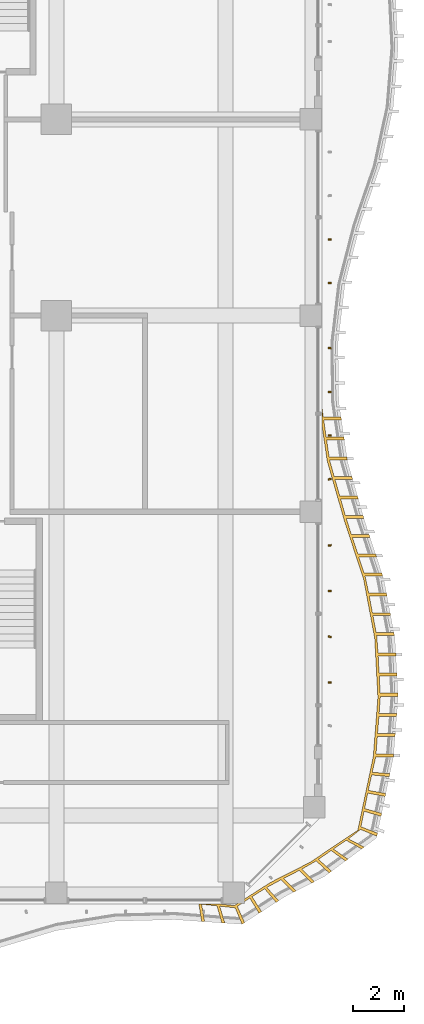
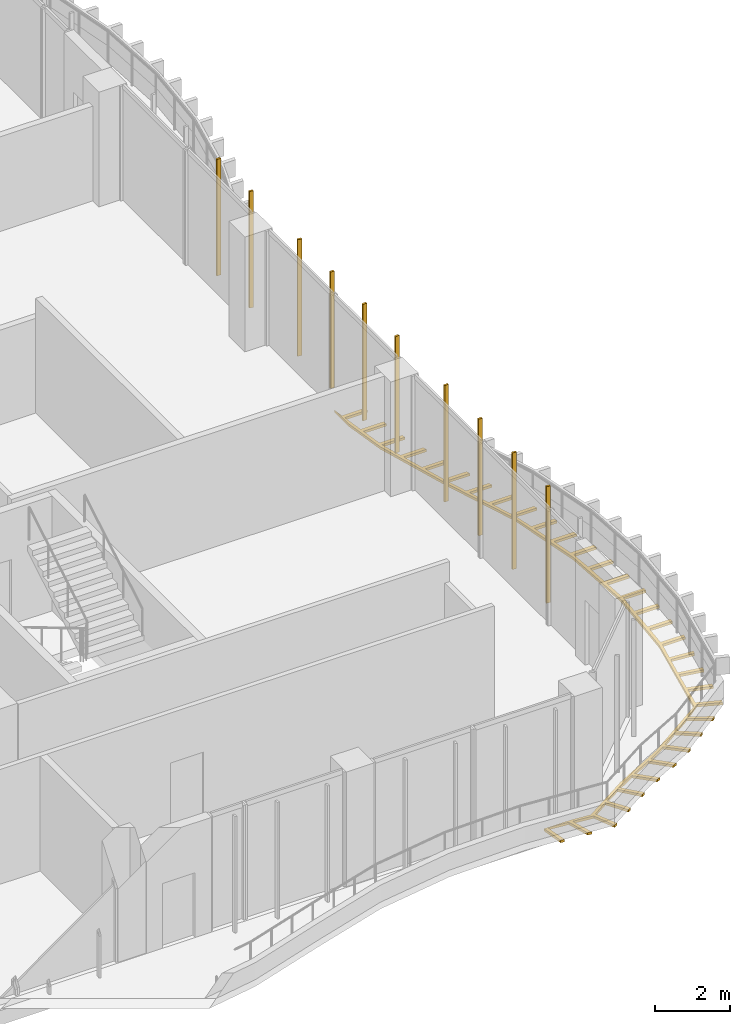
# One storey, part 22 of 26: 11 shading devices.
"""IFC4 building model written with IfcOpenShell, lengths in metres."""

from ifc_helpers import new_model, si_unit, direction, frame, origin, origin_2d, place, context, subcontext, project, spatial, polyline, rectangle, outline, extrude, source, transform, mapped, material, layer, layer_set, material_profile, profile_set, type_object, element, save


model = new_model("IFC4")

# Units and contexts
model_context = context("Model", 3, precision=1e-05, world=origin(), true_north=direction((0.0, 1.0)))
body_context = subcontext(model_context, "Body", "Model", "MODEL_VIEW")
ifc_project = project(units=[si_unit("LENGTHUNIT", "METRE"), si_unit("AREAUNIT", "SQUARE_METRE"), si_unit("VOLUMEUNIT", "CUBIC_METRE"), si_unit("PLANEANGLEUNIT", "RADIAN"), si_unit("MASSUNIT", "GRAM", prefix="KILO")], contexts=[model_context])

# Site, building, storey
site_placement = place(None, origin())
site = spatial("IfcSite", under=ifc_project, at=site_placement, CompositionType="ELEMENT")
building_placement = place(site_placement, origin())
building = spatial("IfcBuilding", under=site, at=building_placement, Name="Kilnfold Tower and Market Hall", CompositionType="ELEMENT")
storey_placement = place(building_placement, frame((0.0, 0.0, 104.60009765625)))
storey = spatial("IfcBuildingStorey", under=building, at=storey_placement, Name="L24", CompositionType="ELEMENT", Elevation=104.60009765625)

# Shading devices
ifc_material_1 = material(Name="Terracotta", Category="masonry")
ifc_material_profile = material_profile(ifc_material_1, rectangle(XDim=0.06005859375, YDim=0.1201171875, at=origin_2d()), Name="BAG 60x120")
ifc_profile_set = profile_set([ifc_material_profile], Name="Terracotta")
shading_device_type_1 = type_object("IfcShadingDeviceType", Name="BAGUETTE", PredefinedType="USERDEFINED", material=ifc_profile_set)
shared_shape_1 = source(origin(), body_context, "Body", "SweptSolid", [
    extrude(rectangle(XDim=0.06005859375, YDim=0.1201171875, at=origin_2d()), origin(), (0.0, 0.0, 1.0), 3.77978515625),
])
for number, where, z_axis, x_axis, name in (
    (1, (33.300048828125, -14.243408203125, 0.0), (0.0, 0.0, 1.0), (0.137733243973, 0.990469360205, 0.0), "Terracotta baguette L24 E"),
    (2, (33.300048828125, -12.438232421875, 0.0), (0.0, 0.0, 1.0), (0.10958511799, 0.993977415194, 0.0), "Terracotta baguette L24 E"),
    (3, (33.300048828125, -10.6328125, 0.0), (0.0, 0.0, 1.0), (0.013215248408, 0.999912674792, 0.0), "Terracotta baguette L24 E"),
    (4, (33.300048828125, -8.82763671875, 0.0), (0.0, 0.0, 1.0), (-0.09145816839, 0.995808919138, 0.0), "Terracotta baguette L24 E"),
    (5, (33.300048828125, -6.21240234375, 0.0), (0.0, 0.0, 1.0), (-0.132223520232, 0.991219925495, 0.0), "Terracotta baguette L24 E"),
    (6, (33.300048828125, -4.487548828125, 0.0), (0.0, 0.0, 1.0), (-0.064222284089, 0.997935618277, 0.0), "Terracotta baguette L24 E"),
    (7, (33.300048828125, -2.762451171875, 0.0), (0.0, 0.0, 1.0), (0.040700304971, 0.999171399298, 0.0), "Terracotta baguette L24 E"),
    (8, (33.300048828125, -1.03759765625, 0.0), (0.0, 0.0, 1.0), (0.122177690449, 0.992508242765, 0.0), "Terracotta baguette L24 E"),
    (9, (33.300048828125, 1.53759765625, 0.0), (0.0, 0.0, 1.0), (0.110511462998, 0.993874849539, 0.0), "Terracotta baguette L24 E"),
    (10, (33.300048828125, 3.262451171875, 0.0), (0.0, 0.0, 1.0), (0.019719197037, 0.99980555773, 0.0), "Terracotta baguette L24 E"),
):
    element("IfcShadingDevice", number, at=place(storey_placement, frame(where, z_axis=z_axis, x_axis=x_axis)), inside=storey, type_object=shading_device_type_1, Name=name, ObjectType="BAGUETTE", PredefinedType="USERDEFINED", context=body_context, shape_type="MappedRepresentation", body=[
        mapped(shared_shape_1, transform((0.0, 0.0, 0.0))),
    ])
ifc_material_2 = material(Name="Bronze anodised aluminium", Category="aluminium")
ifc_layer = layer(ifc_material_2, 0.080078125)
ifc_layer_set = layer_set([ifc_layer], Name="Bronze anodised aluminium")
shading_device_type_2 = type_object("IfcShadingDeviceType", Name="BRONZE SLAT SOFFIT 80", PredefinedType="USERDEFINED", material=ifc_layer_set)
shared_shape_2 = source(origin(), body_context, "Body", "SweptSolid", [
    extrude(outline(polyline([(29.523193359375, -23.05615234375), (30.96875, -22.135498046875), (32.514892578125, -21.348388671875), (34.404541015625, -20.081787109375), (35.017578125, -17.166748046875), (35.19873046875, -14.833251953125), (35.073486328125, -12.5), (34.63525390625, -10.166748046875), (33.86767578125, -7.833251953125), (33.19775390625, -5.5), (33.0, -4.1494140625), (33.0, -3.4267578125), (33.041259765625, -3.748779296875), (33.7412109375, -3.748779296875), (33.7587890625, -3.867431640625), (33.05859375, -3.867431640625), (33.1572265625, -4.540283203125), (33.857177734375, -4.540283203125), (33.861328125, -4.568603515625), (33.87451171875, -4.658935546875), (33.174560546875, -4.658935546875), (33.273193359375, -5.331787109375), (33.97314453125, -5.331787109375), (33.990478515625, -5.450439453125), (33.29052734375, -5.450439453125), (33.4716796875, -6.10546875), (34.171630859375, -6.10546875), (34.20458984375, -6.220947265625), (33.504638671875, -6.220947265625), (33.6923828125, -6.87451171875), (34.392333984375, -6.87451171875), (34.425537109375, -6.98974609375), (33.7255859375, -6.98974609375), (33.9130859375, -7.643310546875), (34.613037109375, -7.643310546875), (34.646240234375, -7.7587890625), (33.9462890625, -7.7587890625), (34.156005859375, -8.405517578125), (34.85595703125, -8.405517578125), (34.893310546875, -8.51953125), (34.193359375, -8.51953125), (34.40576171875, -9.16552734375), (35.105712890625, -9.16552734375), (35.143310546875, -9.279541015625), (34.443359375, -9.279541015625), (34.65576171875, -9.925537109375), (35.355712890625, -9.925537109375), (35.393310546875, -10.039306640625), (34.693359375, -10.039306640625), (34.8359375, -10.703369140625), (35.535888671875, -10.703369140625), (35.55810546875, -10.8212890625), (34.858154296875, -10.8212890625), (34.983642578125, -11.489501953125), (35.68359375, -11.489501953125), (35.705810546875, -11.607421875), (35.005859375, -11.607421875), (35.13134765625, -12.27587890625), (35.831298828125, -12.27587890625), (35.853515625, -12.393798828125), (35.153564453125, -12.393798828125), (35.2041015625, -13.071044921875), (35.904052734375, -13.071044921875), (35.91064453125, -13.19091796875), (35.210693359375, -13.19091796875), (35.2470703125, -13.8701171875), (35.947021484375, -13.8701171875), (35.953369140625, -13.98974609375), (35.25341796875, -13.98974609375), (35.289794921875, -14.668701171875), (35.989990234375, -14.668701171875), (35.996337890625, -14.78857421875), (35.29638671875, -14.78857421875), (35.24951171875, -15.466796875), (35.949462890625, -15.466796875), (35.940185546875, -15.586181640625), (35.240234375, -15.586181640625), (35.1875, -16.264404296875), (35.8876953125, -16.264404296875), (35.882080078125, -16.335693359375), (35.87841796875, -16.3837890625), (35.178466796875, -16.3837890625), (35.125732421875, -17.06201171875), (35.82568359375, -17.06201171875), (35.817626953125, -17.166748046875), (35.814697265625, -17.18115234375), (35.114501953125, -17.179931640625), (34.977783203125, -17.78955078125), (35.67529296875, -17.8466796875), (35.650634765625, -17.96435546875), (34.9541015625, -17.89697265625), (34.822509765625, -18.505859375), (35.511474609375, -18.6298828125), (35.48681640625, -18.747314453125), (34.7998046875, -18.61328125), (34.673828125, -19.22314453125), (35.34765625, -19.412841796875), (35.322998046875, -19.530517578125), (34.652099609375, -19.330810546875), (34.53125, -19.943115234375), (35.183837890625, -20.196044921875), (35.1591796875, -20.3134765625), (34.51025390625, -20.05126953125), (34.038818359375, -20.42138671875), (34.658203125, -20.7470703125), (34.561767578125, -20.818359375), (33.9482421875, -20.481201171875), (33.4404296875, -20.822998046875), (34.01513671875, -21.222900390625), (33.918701171875, -21.294189453125), (33.3515625, -20.8837890625), (32.8505859375, -21.231201171875), (33.371826171875, -21.698486328125), (33.275390625, -21.77001953125), (32.7626953125, -21.293212890625), (32.195556640625, -21.61767578125), (32.690673828125, -22.112548828125), (32.58349609375, -22.1669921875), (32.088623046875, -21.672119140625), (31.482666015625, -21.98046875), (31.9775390625, -22.4755859375), (31.87060546875, -22.530029296875), (31.375732421875, -22.034912109375), (30.814208984375, -22.341796875), (31.27978515625, -22.864501953125), (31.1787109375, -22.929443359375), (30.725341796875, -22.39599609375), (30.227783203125, -22.7080078125), (30.6064453125, -23.296630859375), (30.50537109375, -23.361572265625), (30.140869140625, -22.763916015625), (29.650146484375, -23.08837890625), (29.93310546875, -23.728759765625), (29.83203125, -23.793701171875), (29.563720703125, -23.14697265625), (28.951416015625, -23.079345703125), (29.154296875, -23.749267578125), (29.034423828125, -23.7412109375), (28.843505859375, -23.067626953125), (28.234130859375, -23.005615234375), (28.35595703125, -23.695068359375), (28.236328125, -23.686767578125), (28.12744140625, -23.0), (28.9765625, -23.0), (29.523193359375, -23.05615234375)])), origin(), (0.0, 0.0, 1.0), 0.079833984375),
])
shading_device_placement = place(storey_placement, frame((0.0, 0.0, -0.300048828125)))
element("IfcShadingDevice", 11, at=shading_device_placement, inside=storey, type_object=shading_device_type_2, Name="Balcony soffit slats L24", ObjectType="SLAT", PredefinedType="USERDEFINED", context=body_context, shape_type="MappedRepresentation", body=[
    mapped(shared_shape_2, transform((0.0, 0.0, 0.0))),
])

save(model, "model.ifc")
